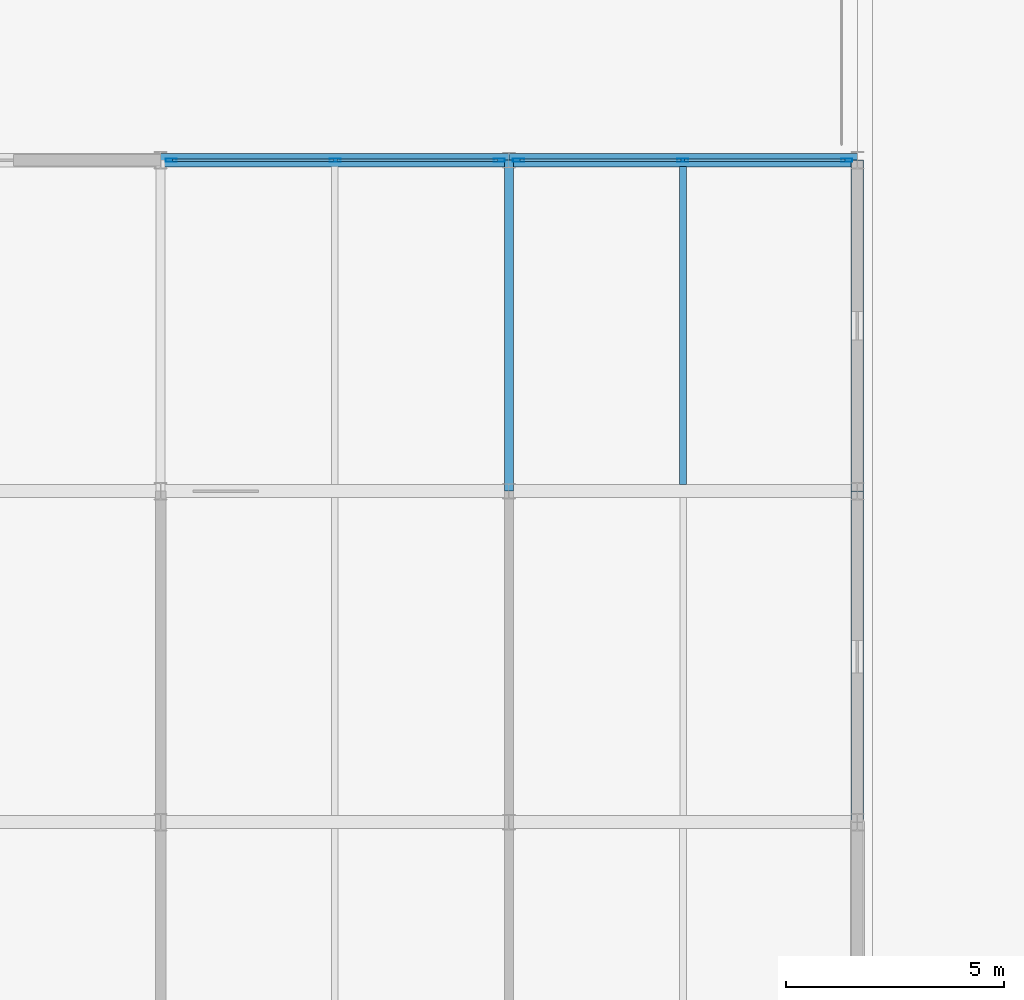
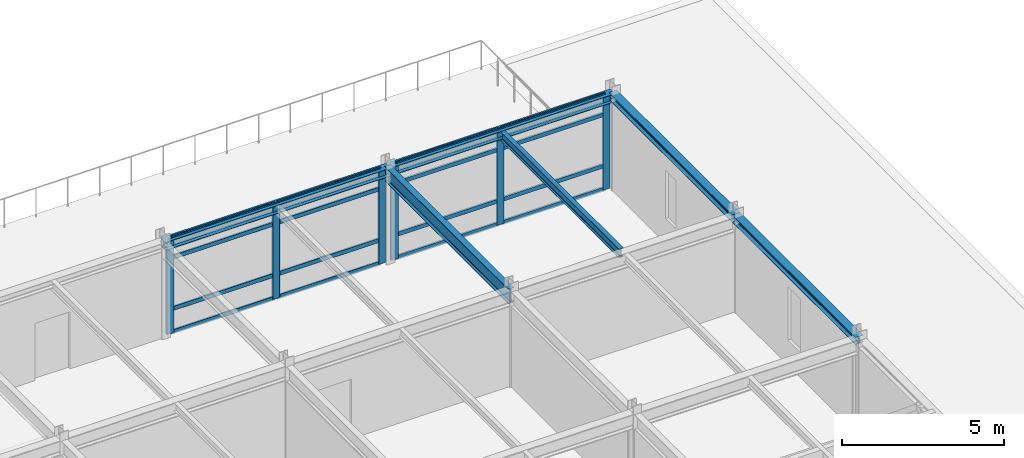
# One storey, part 7 of 12: 22 members, 6 beams, 2 elements without a shape of their own.
"""IFC4 building model written with IfcOpenShell, lengths in metres."""

from ifc_helpers import new_model, si_unit, direction, frame, origin, origin_2d, place, context, subcontext, project, spatial, hollow_rectangle, i_section, extrude, material, layer, layer_set, material_profile, profile_set, type_object, element, aggregate, save


model = new_model("IFC4")

# Units and contexts
model_context = context("Model", 3, precision=1e-05, world=origin(), true_north=direction((0.0, 1.0)))
body_context = subcontext(model_context, "Body", "Model", "MODEL_VIEW")
ifc_project = project(units=[si_unit("LENGTHUNIT", "METRE"), si_unit("AREAUNIT", "SQUARE_METRE"), si_unit("VOLUMEUNIT", "CUBIC_METRE"), si_unit("PLANEANGLEUNIT", "RADIAN"), si_unit("MASSUNIT", "GRAM", prefix="KILO")], contexts=[model_context])

# Site, building, storey
site_placement = place(None, origin())
site = spatial("IfcSite", under=ifc_project, at=site_placement, CompositionType="ELEMENT")
building_placement = place(site_placement, origin())
building = spatial("IfcBuilding", under=site, at=building_placement, Name="Shalkamar Park Central Library", CompositionType="ELEMENT")
storey_placement = place(building_placement, frame((0.0, 0.0, 56.10009765625)))
storey = spatial("IfcBuildingStorey", under=building, at=storey_placement, Name="L14", CompositionType="ELEMENT", Elevation=56.10009765625)

# Beam
ifc_material_1 = material(Name="Steel S355", Category="steel")
ifc_material_profile_1 = material_profile(ifc_material_1, i_section(OverallWidth=0.159912109375, OverallDepth=0.330078125, WebThickness=0.007568359375, FlangeThickness=0.011474609375, FilletRadius=0.01806640625, at=origin_2d()), Name="IPE 330")
ifc_profile_set_1 = profile_set([ifc_material_profile_1], Name="Steel S355")
beam_type_1 = type_object("IfcBeamType", Name="Composite Floor Joist IPE330", PredefinedType="JOIST", material=ifc_profile_set_1)
beam_1_placement = place(storey_placement, frame((209.0, 270.548095703125, 3.414794921875), z_axis=(0.0, 1.0, 0.0), x_axis=(-1.0, 0.0, 0.0)))
element("IfcBeam", 1, at=beam_1_placement, inside=storey, type_object=beam_type_1, Name="Composite Joist 12/E-1 (L14)", PredefinedType="JOIST", context=body_context, shape_type="SweptSolid", body=[
    extrude(i_section(OverallWidth=0.159912109375, OverallDepth=0.330078125, WebThickness=0.007568359375, FlangeThickness=0.011474609375, FilletRadius=0.01806640625, at=origin_2d()), origin(), (0.0, 0.0, 1.0), 7.303955078125),
])

# Curtain wall, members
ifc_material_2 = material(Name="Thermally broken aluminium and triple low-e curtain wall", Category="aluminium")
ifc_layer_1 = layer(ifc_material_2, 0.25)
ifc_layer_set_1 = layer_set([ifc_layer_1], Name="UnitisedCurtainWall_100")
curtain_wall_type_1 = type_object("IfcCurtainWallType", Name="Unitised Curtain Wall 100", PredefinedType="USERDEFINED", material=ifc_layer_set_1)
curtain_wall_1_placement = place(storey_placement, origin())
curtain_wall_1 = element("IfcCurtainWall", 2, at=curtain_wall_1_placement, inside=storey, type_object=curtain_wall_type_1, Name="Unitised Curtain Wall CW-L14-154", ObjectType="UNITISED CURTAIN WALL", PredefinedType="USERDEFINED")
ifc_material_3 = material(Name="Aluminium 6060-T66", Category="aluminium")
ifc_material_profile_2 = material_profile(ifc_material_3, hollow_rectangle(XDim=0.074951171875, YDim=0.25, WallThickness=0.00390625, InnerFilletRadius=0.00390625, OuterFilletRadius=0.006103515625, at=origin_2d()), Name="ALU 75x250x4")
ifc_profile_set_2 = profile_set([ifc_material_profile_2], Name="Aluminium 6060-T66")
member_type_1 = type_object("IfcMemberType", Name="Curtain Wall Mullion ALU75x250", PredefinedType="MULLION", material=ifc_profile_set_2)
member_1_placement = place(storey_placement, frame((197.241455078125, 278.0, 0.0), z_axis=(0.0, 0.0, 1.0), x_axis=(0.0, 1.0, 0.0)))
member_1 = element("IfcMember", 3, at=member_1_placement, type_object=member_type_1, Name="CW-100 mullion 1", PredefinedType="MULLION", context=body_context, shape_type="SweptSolid", body=[
    extrude(hollow_rectangle(XDim=0.074951171875, YDim=0.25, WallThickness=0.00390625, InnerFilletRadius=0.00390625, OuterFilletRadius=0.006103515625, at=origin_2d()), origin(), (0.0, 0.0, 1.0), 3.579833984375),
])
member_2_placement = place(storey_placement, frame((201.010009765625, 278.0, 0.0), z_axis=(0.0, 0.0, 1.0), x_axis=(0.0, 1.0, 0.0)))
member_2 = element("IfcMember", 4, at=member_2_placement, type_object=member_type_1, Name="CW-100 mullion 2", PredefinedType="MULLION", context=body_context, shape_type="SweptSolid", body=[
    extrude(hollow_rectangle(XDim=0.074951171875, YDim=0.25, WallThickness=0.00390625, InnerFilletRadius=0.00390625, OuterFilletRadius=0.006103515625, at=origin_2d()), origin(), (0.0, 0.0, 1.0), 3.579833984375),
])
member_3_placement = place(storey_placement, frame((204.778564453125, 278.0, 0.0), z_axis=(0.0, 0.0, 1.0), x_axis=(0.0, 1.0, 0.0)))
member_3 = element("IfcMember", 5, at=member_3_placement, type_object=member_type_1, Name="CW-100 mullion 3", PredefinedType="MULLION", context=body_context, shape_type="SweptSolid", body=[
    extrude(hollow_rectangle(XDim=0.074951171875, YDim=0.25, WallThickness=0.00390625, InnerFilletRadius=0.00390625, OuterFilletRadius=0.006103515625, at=origin_2d()), origin(), (0.0, 0.0, 1.0), 3.579833984375),
])

ifc_layer_2 = layer(ifc_material_2, 0.260009765625)
ifc_layer_set_2 = layer_set([ifc_layer_2], Name="UnitisedCurtainWall_101")
curtain_wall_type_2 = type_object("IfcCurtainWallType", Name="Unitised Curtain Wall 101", PredefinedType="USERDEFINED", material=ifc_layer_set_2)
curtain_wall_2_placement = place(storey_placement, origin())
curtain_wall_2 = element("IfcCurtainWall", 6, at=curtain_wall_2_placement, inside=storey, type_object=curtain_wall_type_2, Name="Unitised Curtain Wall CW-L14-155", ObjectType="UNITISED CURTAIN WALL", PredefinedType="USERDEFINED")
ifc_material_profile_3 = material_profile(ifc_material_3, hollow_rectangle(XDim=0.074951171875, YDim=0.260009765625, WallThickness=0.00439453125, InnerFilletRadius=0.00439453125, OuterFilletRadius=0.0068359375, at=origin_2d()), Name="ALU 75x260x4.5")
ifc_profile_set_3 = profile_set([ifc_material_profile_3], Name="Aluminium 6060-T66")
member_type_2 = type_object("IfcMemberType", Name="Curtain Wall Mullion ALU75x260", PredefinedType="MULLION", material=ifc_profile_set_3)
member_4_placement = place(storey_placement, frame((205.221435546875, 278.0, 0.0), z_axis=(0.0, 0.0, 1.0), x_axis=(0.0, 1.0, 0.0)))
member_4 = element("IfcMember", 7, at=member_4_placement, type_object=member_type_2, Name="CW-101 mullion 1", PredefinedType="MULLION", context=body_context, shape_type="SweptSolid", body=[
    extrude(hollow_rectangle(XDim=0.074951171875, YDim=0.260009765625, WallThickness=0.00439453125, InnerFilletRadius=0.00439453125, OuterFilletRadius=0.0068359375, at=origin_2d()), origin(), (0.0, 0.0, 1.0), 3.579833984375),
])
member_5_placement = place(storey_placement, frame((208.989990234375, 278.0, 0.0), z_axis=(0.0, 0.0, 1.0), x_axis=(0.0, 1.0, 0.0)))
member_5 = element("IfcMember", 8, at=member_5_placement, type_object=member_type_2, Name="CW-101 mullion 2", PredefinedType="MULLION", context=body_context, shape_type="SweptSolid", body=[
    extrude(hollow_rectangle(XDim=0.074951171875, YDim=0.260009765625, WallThickness=0.00439453125, InnerFilletRadius=0.00439453125, OuterFilletRadius=0.0068359375, at=origin_2d()), origin(), (0.0, 0.0, 1.0), 3.579833984375),
])
member_6_placement = place(storey_placement, frame((212.758544921875, 278.0, 0.0), z_axis=(0.0, 0.0, 1.0), x_axis=(0.0, 1.0, 0.0)))
member_6 = element("IfcMember", 9, at=member_6_placement, type_object=member_type_2, Name="CW-101 mullion 3", PredefinedType="MULLION", context=body_context, shape_type="SweptSolid", body=[
    extrude(hollow_rectangle(XDim=0.074951171875, YDim=0.260009765625, WallThickness=0.00439453125, InnerFilletRadius=0.00439453125, OuterFilletRadius=0.0068359375, at=origin_2d()), origin(), (0.0, 0.0, 1.0), 3.579833984375),
])

# Member
ifc_material_profile_4 = material_profile(ifc_material_3, hollow_rectangle(XDim=0.06005859375, YDim=0.159912109375, WallThickness=0.00390625, InnerFilletRadius=0.00390625, OuterFilletRadius=0.006103515625, at=origin_2d()), Name="ALU 60x160x4")
ifc_profile_set_4 = profile_set([ifc_material_profile_4], Name="Aluminium 6060-T66")
member_type_3 = type_object("IfcMemberType", Name="Curtain Wall Transom ALU60x160", PredefinedType="USERDEFINED", material=ifc_profile_set_4)
member_7_placement = place(storey_placement, frame((197.279052734375, 278.0, 0.02978515625), z_axis=(1.0, 0.0, 0.0), x_axis=(0.0, 1.0, 0.0)))
member_7 = element("IfcMember", 10, at=member_7_placement, type_object=member_type_3, Name="CW-100 transom 1.1", ObjectType="TRANSOM", PredefinedType="USERDEFINED", context=body_context, shape_type="SweptSolid", body=[
    extrude(hollow_rectangle(XDim=0.06005859375, YDim=0.159912109375, WallThickness=0.00390625, InnerFilletRadius=0.00390625, OuterFilletRadius=0.006103515625, at=origin_2d()), origin(), (0.0, 0.0, 1.0), 3.693359375),
])

member_8_placement = place(storey_placement, frame((197.279052734375, 278.0, 0.89990234375), z_axis=(1.0, 0.0, 0.0), x_axis=(0.0, 1.0, 0.0)))
member_8 = element("IfcMember", 11, at=member_8_placement, type_object=member_type_3, Name="CW-100 transom 1.2", ObjectType="TRANSOM", PredefinedType="USERDEFINED", context=body_context, shape_type="SweptSolid", body=[
    extrude(hollow_rectangle(XDim=0.06005859375, YDim=0.159912109375, WallThickness=0.00390625, InnerFilletRadius=0.00390625, OuterFilletRadius=0.006103515625, at=origin_2d()), origin(), (0.0, 0.0, 1.0), 3.693359375),
])

member_9_placement = place(storey_placement, frame((197.279052734375, 278.0, 2.829833984375), z_axis=(1.0, 0.0, 0.0), x_axis=(0.0, 1.0, 0.0)))
member_9 = element("IfcMember", 12, at=member_9_placement, type_object=member_type_3, Name="CW-100 transom 1.3", ObjectType="TRANSOM", PredefinedType="USERDEFINED", context=body_context, shape_type="SweptSolid", body=[
    extrude(hollow_rectangle(XDim=0.06005859375, YDim=0.159912109375, WallThickness=0.00390625, InnerFilletRadius=0.00390625, OuterFilletRadius=0.006103515625, at=origin_2d()), origin(), (0.0, 0.0, 1.0), 3.693359375),
])

member_10_placement = place(storey_placement, frame((197.279052734375, 278.0, 3.5498046875), z_axis=(1.0, 0.0, 0.0), x_axis=(0.0, 1.0, 0.0)))
member_10 = element("IfcMember", 13, at=member_10_placement, type_object=member_type_3, Name="CW-100 transom 1.4", ObjectType="TRANSOM", PredefinedType="USERDEFINED", context=body_context, shape_type="SweptSolid", body=[
    extrude(hollow_rectangle(XDim=0.06005859375, YDim=0.159912109375, WallThickness=0.00390625, InnerFilletRadius=0.00390625, OuterFilletRadius=0.006103515625, at=origin_2d()), origin(), (0.0, 0.0, 1.0), 3.693359375),
])

member_11_placement = place(storey_placement, frame((201.047607421875, 278.0, 0.02978515625), z_axis=(1.0, 0.0, 0.0), x_axis=(0.0, 1.0, 0.0)))
member_11 = element("IfcMember", 14, at=member_11_placement, type_object=member_type_3, Name="CW-100 transom 2.1", ObjectType="TRANSOM", PredefinedType="USERDEFINED", context=body_context, shape_type="SweptSolid", body=[
    extrude(hollow_rectangle(XDim=0.06005859375, YDim=0.159912109375, WallThickness=0.00390625, InnerFilletRadius=0.00390625, OuterFilletRadius=0.006103515625, at=origin_2d()), origin(), (0.0, 0.0, 1.0), 3.693359375),
])

member_12_placement = place(storey_placement, frame((201.047607421875, 278.0, 0.89990234375), z_axis=(1.0, 0.0, 0.0), x_axis=(0.0, 1.0, 0.0)))
member_12 = element("IfcMember", 15, at=member_12_placement, type_object=member_type_3, Name="CW-100 transom 2.2", ObjectType="TRANSOM", PredefinedType="USERDEFINED", context=body_context, shape_type="SweptSolid", body=[
    extrude(hollow_rectangle(XDim=0.06005859375, YDim=0.159912109375, WallThickness=0.00390625, InnerFilletRadius=0.00390625, OuterFilletRadius=0.006103515625, at=origin_2d()), origin(), (0.0, 0.0, 1.0), 3.693359375),
])

member_13_placement = place(storey_placement, frame((201.047607421875, 278.0, 2.829833984375), z_axis=(1.0, 0.0, 0.0), x_axis=(0.0, 1.0, 0.0)))
member_13 = element("IfcMember", 16, at=member_13_placement, type_object=member_type_3, Name="CW-100 transom 2.3", ObjectType="TRANSOM", PredefinedType="USERDEFINED", context=body_context, shape_type="SweptSolid", body=[
    extrude(hollow_rectangle(XDim=0.06005859375, YDim=0.159912109375, WallThickness=0.00390625, InnerFilletRadius=0.00390625, OuterFilletRadius=0.006103515625, at=origin_2d()), origin(), (0.0, 0.0, 1.0), 3.693359375),
])

member_14_placement = place(storey_placement, frame((201.047607421875, 278.0, 3.5498046875), z_axis=(1.0, 0.0, 0.0), x_axis=(0.0, 1.0, 0.0)))
member_14 = element("IfcMember", 17, at=member_14_placement, type_object=member_type_3, Name="CW-100 transom 2.4", ObjectType="TRANSOM", PredefinedType="USERDEFINED", context=body_context, shape_type="SweptSolid", body=[
    extrude(hollow_rectangle(XDim=0.06005859375, YDim=0.159912109375, WallThickness=0.00390625, InnerFilletRadius=0.00390625, OuterFilletRadius=0.006103515625, at=origin_2d()), origin(), (0.0, 0.0, 1.0), 3.693359375),
])

aggregate(curtain_wall_1, [member_1, member_2, member_3, member_7, member_8, member_9, member_10, member_11, member_12, member_13, member_14])

ifc_material_profile_5 = material_profile(ifc_material_3, hollow_rectangle(XDim=0.06005859375, YDim=0.1650390625, WallThickness=0.00390625, InnerFilletRadius=0.00390625, OuterFilletRadius=0.006103515625, at=origin_2d()), Name="ALU 60x165x4")
ifc_profile_set_5 = profile_set([ifc_material_profile_5], Name="Aluminium 6060-T66")
member_type_4 = type_object("IfcMemberType", Name="Curtain Wall Transom ALU60x165", PredefinedType="USERDEFINED", material=ifc_profile_set_5)
member_15_placement = place(storey_placement, frame((205.259033203125, 278.0, 0.02978515625), z_axis=(1.0, 0.0, 0.0), x_axis=(0.0, 1.0, 0.0)))
member_15 = element("IfcMember", 18, at=member_15_placement, type_object=member_type_4, Name="CW-101 transom 1.1", ObjectType="TRANSOM", PredefinedType="USERDEFINED", context=body_context, shape_type="SweptSolid", body=[
    extrude(hollow_rectangle(XDim=0.06005859375, YDim=0.1650390625, WallThickness=0.00390625, InnerFilletRadius=0.00390625, OuterFilletRadius=0.006103515625, at=origin_2d()), origin(), (0.0, 0.0, 1.0), 3.693359375),
])

member_16_placement = place(storey_placement, frame((205.259033203125, 278.0, 0.89990234375), z_axis=(1.0, 0.0, 0.0), x_axis=(0.0, 1.0, 0.0)))
member_16 = element("IfcMember", 19, at=member_16_placement, type_object=member_type_4, Name="CW-101 transom 1.2", ObjectType="TRANSOM", PredefinedType="USERDEFINED", context=body_context, shape_type="SweptSolid", body=[
    extrude(hollow_rectangle(XDim=0.06005859375, YDim=0.1650390625, WallThickness=0.00390625, InnerFilletRadius=0.00390625, OuterFilletRadius=0.006103515625, at=origin_2d()), origin(), (0.0, 0.0, 1.0), 3.693359375),
])

member_17_placement = place(storey_placement, frame((205.259033203125, 278.0, 2.829833984375), z_axis=(1.0, 0.0, 0.0), x_axis=(0.0, 1.0, 0.0)))
member_17 = element("IfcMember", 20, at=member_17_placement, type_object=member_type_4, Name="CW-101 transom 1.3", ObjectType="TRANSOM", PredefinedType="USERDEFINED", context=body_context, shape_type="SweptSolid", body=[
    extrude(hollow_rectangle(XDim=0.06005859375, YDim=0.1650390625, WallThickness=0.00390625, InnerFilletRadius=0.00390625, OuterFilletRadius=0.006103515625, at=origin_2d()), origin(), (0.0, 0.0, 1.0), 3.693359375),
])

member_18_placement = place(storey_placement, frame((205.259033203125, 278.0, 3.5498046875), z_axis=(1.0, 0.0, 0.0), x_axis=(0.0, 1.0, 0.0)))
member_18 = element("IfcMember", 21, at=member_18_placement, type_object=member_type_4, Name="CW-101 transom 1.4", ObjectType="TRANSOM", PredefinedType="USERDEFINED", context=body_context, shape_type="SweptSolid", body=[
    extrude(hollow_rectangle(XDim=0.06005859375, YDim=0.1650390625, WallThickness=0.00390625, InnerFilletRadius=0.00390625, OuterFilletRadius=0.006103515625, at=origin_2d()), origin(), (0.0, 0.0, 1.0), 3.693359375),
])

member_19_placement = place(storey_placement, frame((209.027587890625, 278.0, 0.02978515625), z_axis=(1.0, 0.0, 0.0), x_axis=(0.0, 1.0, 0.0)))
member_19 = element("IfcMember", 22, at=member_19_placement, type_object=member_type_4, Name="CW-101 transom 2.1", ObjectType="TRANSOM", PredefinedType="USERDEFINED", context=body_context, shape_type="SweptSolid", body=[
    extrude(hollow_rectangle(XDim=0.06005859375, YDim=0.1650390625, WallThickness=0.00390625, InnerFilletRadius=0.00390625, OuterFilletRadius=0.006103515625, at=origin_2d()), origin(), (0.0, 0.0, 1.0), 3.693359375),
])

member_20_placement = place(storey_placement, frame((209.027587890625, 278.0, 0.89990234375), z_axis=(1.0, 0.0, 0.0), x_axis=(0.0, 1.0, 0.0)))
member_20 = element("IfcMember", 23, at=member_20_placement, type_object=member_type_4, Name="CW-101 transom 2.2", ObjectType="TRANSOM", PredefinedType="USERDEFINED", context=body_context, shape_type="SweptSolid", body=[
    extrude(hollow_rectangle(XDim=0.06005859375, YDim=0.1650390625, WallThickness=0.00390625, InnerFilletRadius=0.00390625, OuterFilletRadius=0.006103515625, at=origin_2d()), origin(), (0.0, 0.0, 1.0), 3.693359375),
])

member_21_placement = place(storey_placement, frame((209.027587890625, 278.0, 2.829833984375), z_axis=(1.0, 0.0, 0.0), x_axis=(0.0, 1.0, 0.0)))
member_21 = element("IfcMember", 24, at=member_21_placement, type_object=member_type_4, Name="CW-101 transom 2.3", ObjectType="TRANSOM", PredefinedType="USERDEFINED", context=body_context, shape_type="SweptSolid", body=[
    extrude(hollow_rectangle(XDim=0.06005859375, YDim=0.1650390625, WallThickness=0.00390625, InnerFilletRadius=0.00390625, OuterFilletRadius=0.006103515625, at=origin_2d()), origin(), (0.0, 0.0, 1.0), 3.693359375),
])

member_22_placement = place(storey_placement, frame((209.027587890625, 278.0, 3.5498046875), z_axis=(1.0, 0.0, 0.0), x_axis=(0.0, 1.0, 0.0)))
member_22 = element("IfcMember", 25, at=member_22_placement, type_object=member_type_4, Name="CW-101 transom 2.4", ObjectType="TRANSOM", PredefinedType="USERDEFINED", context=body_context, shape_type="SweptSolid", body=[
    extrude(hollow_rectangle(XDim=0.06005859375, YDim=0.1650390625, WallThickness=0.00390625, InnerFilletRadius=0.00390625, OuterFilletRadius=0.006103515625, at=origin_2d()), origin(), (0.0, 0.0, 1.0), 3.693359375),
])

aggregate(curtain_wall_2, [member_4, member_5, member_6, member_15, member_16, member_17, member_18, member_19, member_20, member_21, member_22])

# Beams
ifc_material_profile_6 = material_profile(ifc_material_1, i_section(OverallWidth=0.280029296875, OverallDepth=0.27001953125, WebThickness=0.008056640625, FlangeThickness=0.012939453125, FilletRadius=0.02392578125, at=origin_2d()), Name="HEA 280")
ifc_profile_set_6 = profile_set([ifc_material_profile_6], Name="Steel S355")
beam_type_2 = type_object("IfcBeamType", Name="Perimeter Spandrel Beam HEA280", PredefinedType="SPANDREL", material=ifc_profile_set_6)
beam_2_placement = place(storey_placement, frame((213.0, 262.800048828125, 3.44482421875), z_axis=(0.0, 1.0, 0.0), x_axis=(-1.0, 0.0, 0.0)))
element("IfcBeam", 26, at=beam_2_placement, inside=storey, type_object=beam_type_2, Name="Beam 13:D-E (L14)", PredefinedType="SPANDREL", context=body_context, shape_type="SweptSolid", body=[
    extrude(i_section(OverallWidth=0.280029296875, OverallDepth=0.27001953125, WebThickness=0.008056640625, FlangeThickness=0.012939453125, FilletRadius=0.02392578125, at=origin_2d()), origin(), (0.0, 0.0, 1.0), 7.599853515625),
])
beam_3_placement = place(storey_placement, frame((213.0, 270.39990234375, 3.44482421875), z_axis=(0.0, 1.0, 0.0), x_axis=(-1.0, 0.0, 0.0)))
element("IfcBeam", 27, at=beam_3_placement, inside=storey, type_object=beam_type_2, Name="Beam 13:E-F (L14)", PredefinedType="SPANDREL", context=body_context, shape_type="SweptSolid", body=[
    extrude(i_section(OverallWidth=0.280029296875, OverallDepth=0.27001953125, WebThickness=0.008056640625, FlangeThickness=0.012939453125, FilletRadius=0.02392578125, at=origin_2d()), origin(), (0.0, 0.0, 1.0), 7.60009765625),
])
ifc_material_profile_7 = material_profile(ifc_material_1, i_section(OverallWidth=0.300048828125, OverallDepth=0.31005859375, WebThickness=0.009033203125, FlangeThickness=0.015380859375, FilletRadius=0.027099609375, at=origin_2d()), Name="HEA 320")
ifc_profile_set_7 = profile_set([ifc_material_profile_7], Name="Steel S355")
beam_type_3 = type_object("IfcBeamType", Name="Perimeter Spandrel Beam HEA320", PredefinedType="SPANDREL", material=ifc_profile_set_7)
for number, where, z_axis, x_axis, name in (
    (28, (197.0, 278.0, 3.4248046875), (1.0, 0.0, 0.0), (0.0, 1.0, 0.0), "Beam F:11-12 (L14)"),
    (29, (205.0, 278.0, 3.4248046875), (1.0, 0.0, 0.0), (0.0, 1.0, 0.0), "Beam F:12-13 (L14)"),
):
    element("IfcBeam", number, at=place(storey_placement, frame(where, z_axis=z_axis, x_axis=x_axis)), inside=storey, type_object=beam_type_3, Name=name, PredefinedType="SPANDREL", context=body_context, shape_type="SweptSolid", body=[
        extrude(i_section(OverallWidth=0.300048828125, OverallDepth=0.31005859375, WebThickness=0.009033203125, FlangeThickness=0.015380859375, FilletRadius=0.027099609375, at=origin_2d()), origin(), (0.0, 0.0, 1.0), 8.0),
    ])
ifc_material_profile_8 = material_profile(ifc_material_1, i_section(OverallWidth=0.2099609375, OverallDepth=0.550048828125, WebThickness=0.010986328125, FlangeThickness=0.01708984375, FilletRadius=0.02392578125, at=origin_2d()), Name="IPE 550")
ifc_profile_set_8 = profile_set([ifc_material_profile_8], Name="Steel S355")
beam_type_4 = type_object("IfcBeamType", Name="Primary Girder IPE550", PredefinedType="BEAM", material=ifc_profile_set_8)
beam_4_placement = place(storey_placement, frame((205.0, 270.39990234375, 3.304931640625), z_axis=(0.0, 1.0, 0.0), x_axis=(-1.0, 0.0, 0.0)))
element("IfcBeam", 30, at=beam_4_placement, inside=storey, type_object=beam_type_4, Name="Beam 12:E-F (L14)", PredefinedType="BEAM", context=body_context, shape_type="SweptSolid", body=[
    extrude(i_section(OverallWidth=0.2099609375, OverallDepth=0.550048828125, WebThickness=0.010986328125, FlangeThickness=0.01708984375, FilletRadius=0.02392578125, at=origin_2d()), origin(), (0.0, 0.0, 1.0), 7.60009765625),
])

save(model, "model.ifc")
